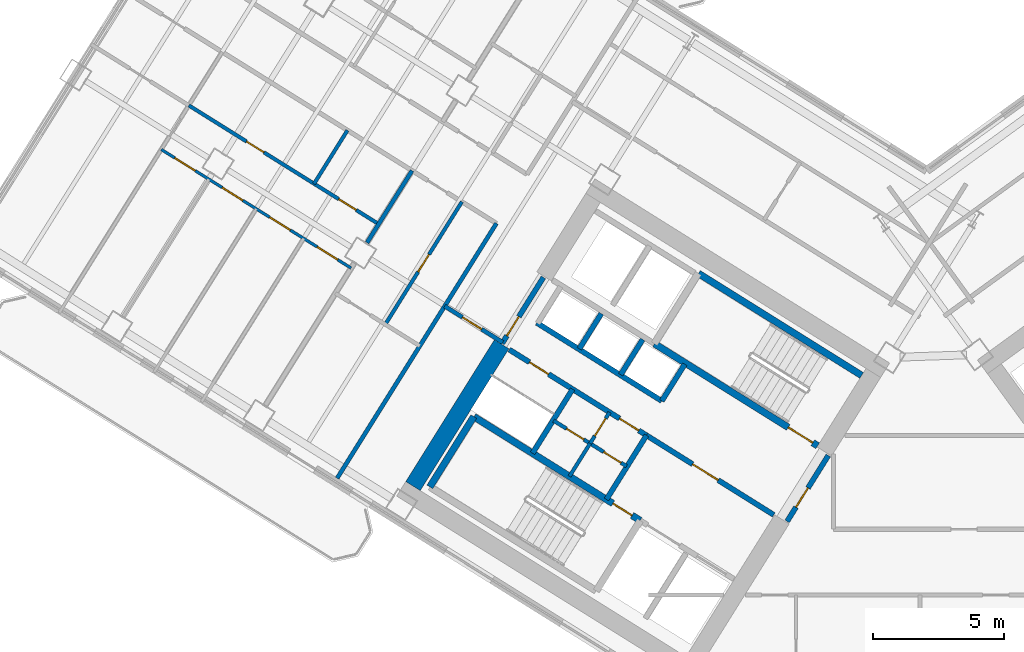
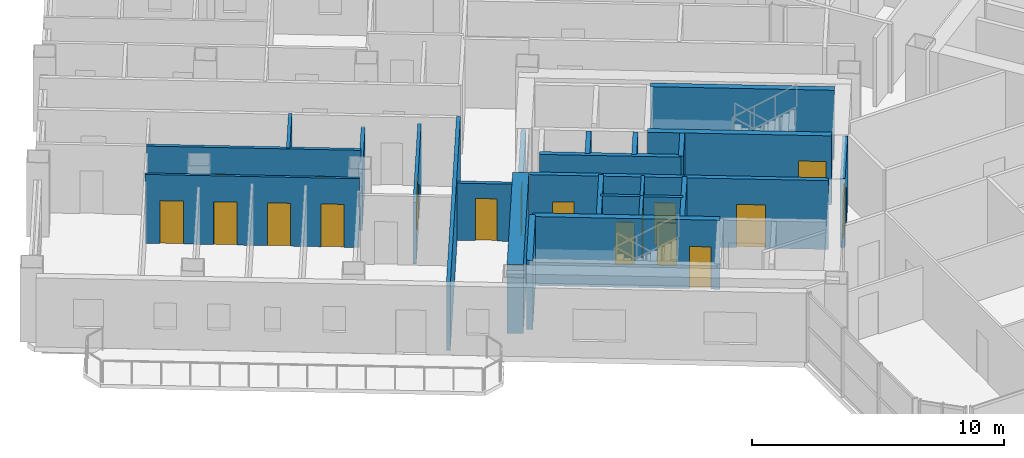
# One storey, part 12 of 21: 25 walls, 18 doors, 18 openings.
"""IFC4 building model written with IfcOpenShell, lengths in metres."""

from ifc_helpers import new_model, si_unit, direction, frame, frame_2d, origin, place, context, subcontext, project, spatial, rectangle, extrude, source, transform, mapped, material, layer, layer_set, type_object, element, fill, save


model = new_model("IFC4")

# Units and contexts
model_context = context("Model", 3, precision=1e-05, world=origin(), true_north=direction((0.0, 1.0)))
body_context = subcontext(model_context, "Body", "Model", "MODEL_VIEW")
ifc_project = project(units=[si_unit("LENGTHUNIT", "METRE"), si_unit("AREAUNIT", "SQUARE_METRE"), si_unit("VOLUMEUNIT", "CUBIC_METRE"), si_unit("PLANEANGLEUNIT", "RADIAN"), si_unit("MASSUNIT", "GRAM", prefix="KILO")], contexts=[model_context])

# Site, building, storey
site_placement = place(None, origin())
site = spatial("IfcSite", under=ifc_project, at=site_placement, CompositionType="ELEMENT")
building_placement = place(site_placement, origin())
building = spatial("IfcBuilding", under=site, at=building_placement, Name="Tlacorven Tower", CompositionType="ELEMENT")
storey_placement = place(building_placement, frame((0.0, 0.0, 90.0)))
storey = spatial("IfcBuildingStorey", under=building, at=storey_placement, Name="L22", CompositionType="ELEMENT", Elevation=90.0)

# Wall
ifc_material_1 = material(Name="Concrete C60/75", Category="concrete")
ifc_layer_1 = layer(ifc_material_1, 0.64990234375)
ifc_layer_set_1 = layer_set([ifc_layer_1], Name="Concrete C60/75")
wall_type_1 = type_object("IfcWallType", Name="WL-COR-650", PredefinedType="SHEAR", material=ifc_layer_set_1)
wall_1_placement = place(storey_placement, frame((26.006591796875, 24.975830078125, 0.0), z_axis=(0.0, 0.0, 1.0), x_axis=(-0.529916319127, -0.848049936456, 0.0)))
element("IfcWall", 1, at=wall_1_placement, inside=storey, type_object=wall_type_1, Name="L22 W core end wall E2.2", PredefinedType="SHEAR", context=body_context, shape_type="SweptSolid", body=[
    extrude(rectangle(XDim=6.375, YDim=0.64990234375, at=frame_2d((3.1875, 0.0))), origin(), (0.0, 0.0, 1.0), 3.35009765625),
])

# Wall, opening, door
ifc_material_2 = material(Name="Gypsum plasterboard acoustic partition", Category="gypsum")
ifc_layer_2 = layer(ifc_material_2, 0.159912109375)
ifc_layer_set_2 = layer_set([ifc_layer_2], Name="Gypsum plasterboard acoustic partition")
wall_type_2 = type_object("IfcWallType", Name="WL-DEM-160", PredefinedType="PARTITIONING", material=ifc_layer_set_2)
wall_2_placement = place(storey_placement, frame((26.048828125, 25.043701171875, 0.0), z_axis=(0.0, 0.0, 1.0), x_axis=(-0.848050851465, 0.529914854792, 0.0)))
wall_2 = element("IfcWall", 2, at=wall_2_placement, inside=storey, type_object=wall_type_2, Name="L22 partition 50", PredefinedType="PARTITIONING", context=body_context, shape_type="SweptSolid", body=[
    extrude(rectangle(XDim=2.60986328125, YDim=0.159912109375, at=frame_2d((1.304931640625, 0.0))), origin(), (0.0, 0.0, 1.0), 2.77490234375),
])
opening_1_placement = place(wall_2_placement, frame((0.949951171875, 0.0, 0.0)))
opening_1 = element("IfcOpeningElement", 3, at=opening_1_placement, cuts=wall_2, Name="Opening D19", PredefinedType="OPENING", context=body_context, shape_type="SweptSolid", body=[
    extrude(rectangle(XDim=0.860107421875, YDim=2.050048828125, at=frame_2d((0.43017578125, 1.02490234375))), frame((0.0, 0.08984375, 0.0), z_axis=(0.0, -1.0, 0.0), x_axis=(1.0, 0.0, 0.0)), (0.0, 0.0, 1.0), 0.179931640625),
])
ifc_material_3 = material(Name="Fire-rated steel door assembly", Category="steel")
door_type_1 = type_object("IfcDoorType", Name="DR-RSR-FD60-0860", OperationType="NOTDEFINED", PredefinedType="DOOR", material=ifc_material_3)
shared_shape_1 = source(origin(), body_context, "Body", "SweptSolid", [
    extrude(rectangle(XDim=0.860107421875, YDim=2.050048828125, at=frame_2d((0.43017578125, 1.02490234375))), frame((0.0, 0.02490234375, 0.0), z_axis=(0.0, -1.0, 0.0), x_axis=(1.0, 0.0, 0.0)), (0.0, 0.0, 1.0), 0.050048828125),
])
door_1_placement = place(opening_1_placement, origin())
door_1 = element("IfcDoor", 4, at=door_1_placement, inside=storey, type_object=door_type_1, Name="L22 door 021", OperationType="SINGLE_SWING_RIGHT", OverallHeight=2.050048828125, OverallWidth=0.860107421875, PredefinedType="DOOR", context=body_context, shape_type="MappedRepresentation", body=[
    mapped(shared_shape_1, transform((0.0, 0.0, 0.0), scale=1.0)),
])
fill(opening_1, door_1)

# Walls
wall_3_placement = place(storey_placement, frame((25.806884765625, 29.58154296875, 0.0), z_axis=(0.0, 0.0, 1.0), x_axis=(-0.529920357077, -0.848047413271, 0.0)))
element("IfcWall", 5, at=wall_3_placement, inside=storey, type_object=wall_type_2, Name="L22 partition 52", PredefinedType="PARTITIONING", context=body_context, shape_type="SweptSolid", body=[
    extrude(rectangle(XDim=11.4501953125, YDim=0.159912109375, at=frame_2d((5.72509765625, 0.0))), origin(), (0.0, 0.0, 1.0), 3.340087890625),
])
wall_4_placement = place(storey_placement, frame((22.5927734375, 31.58984375, 0.0), z_axis=(0.0, 0.0, 1.0), x_axis=(-0.529924383291, -0.848044897393, 0.0)))
element("IfcWall", 6, at=wall_4_placement, inside=storey, type_object=wall_type_2, Name="L22 WN Demising Wall 1", PredefinedType="PARTITIONING", context=body_context, shape_type="SweptSolid", body=[
    extrude(rectangle(XDim=3.23779296875, YDim=0.159912109375, at=frame_2d((1.618896484375, 0.0))), origin(), (0.0, 0.0, 1.0), 2.77490234375),
])

# Wall, openings, doors
ifc_material_4 = material(Name="Gypsum plasterboard partition", Category="gypsum")
ifc_layer_3 = layer(ifc_material_4, 0.110107421875)
ifc_layer_set_3 = layer_set([ifc_layer_3], Name="Gypsum plasterboard partition")
wall_type_3 = type_object("IfcWallType", Name="WL-INT-110", PredefinedType="PARTITIONING", material=ifc_layer_set_3)
wall_5_placement = place(storey_placement, frame((20.271728515625, 27.87548828125, 0.0), z_axis=(0.0, 0.0, 1.0), x_axis=(-0.848056204746, 0.529906287557, 0.0)))
wall_5 = element("IfcWall", 7, at=wall_5_placement, inside=storey, type_object=wall_type_3, Name="L22 partition 64", PredefinedType="PARTITIONING", context=body_context, shape_type="SweptSolid", body=[
    extrude(rectangle(XDim=8.527099609375, YDim=0.110107421875, at=frame_2d((4.263671875, 0.0))), origin(), (0.0, 0.0, 1.0), 3.340087890625),
])
opening_2_placement = place(wall_5_placement, frame((0.60595703125, 0.0, 0.0)))
opening_2 = element("IfcOpeningElement", 8, at=opening_2_placement, cuts=wall_5, Name="Opening D12", PredefinedType="OPENING", context=body_context, shape_type="SweptSolid", body=[
    extrude(rectangle(XDim=0.919921875, YDim=2.080078125, at=frame_2d((0.4599609375, 1.0400390625))), frame((0.0, 0.06494140625, 0.0), z_axis=(0.0, -1.0, 0.0), x_axis=(1.0, 0.0, 0.0)), (0.0, 0.0, 1.0), 0.130126953125),
])
opening_3_placement = place(wall_5_placement, frame((2.738037109375, 0.0, 0.0)))
opening_3 = element("IfcOpeningElement", 9, at=opening_3_placement, cuts=wall_5, Name="Opening D12", PredefinedType="OPENING", context=body_context, shape_type="SweptSolid", body=[
    extrude(rectangle(XDim=0.919921875, YDim=2.080078125, at=frame_2d((0.4599609375, 1.0400390625))), frame((0.0, 0.06494140625, 0.0), z_axis=(0.0, -1.0, 0.0), x_axis=(1.0, 0.0, 0.0)), (0.0, 0.0, 1.0), 0.130126953125),
])
opening_4_placement = place(wall_5_placement, frame((4.869384765625, 0.0, 0.0)))
opening_4 = element("IfcOpeningElement", 10, at=opening_4_placement, cuts=wall_5, Name="Opening D12", PredefinedType="OPENING", context=body_context, shape_type="SweptSolid", body=[
    extrude(rectangle(XDim=0.919921875, YDim=2.080078125, at=frame_2d((0.4599609375, 1.0400390625))), frame((0.0, 0.06494140625, 0.0), z_axis=(0.0, -1.0, 0.0), x_axis=(1.0, 0.0, 0.0)), (0.0, 0.0, 1.0), 0.130126953125),
])
opening_5_placement = place(wall_5_placement, frame((7.0009765625, 0.0, 0.0)))
opening_5 = element("IfcOpeningElement", 11, at=opening_5_placement, cuts=wall_5, Name="Opening D12", PredefinedType="OPENING", context=body_context, shape_type="SweptSolid", body=[
    extrude(rectangle(XDim=0.919921875, YDim=2.080078125, at=frame_2d((0.4599609375, 1.0400390625))), frame((0.0, 0.06494140625, 0.0), z_axis=(0.0, -1.0, 0.0), x_axis=(1.0, 0.0, 0.0)), (0.0, 0.0, 1.0), 0.130126953125),
])
ifc_material_5 = material(Name="Powder-coated aluminium and timber door", Category="wood")
door_type_2 = type_object("IfcDoorType", Name="DR-INT-ROOM-0920", OperationType="NOTDEFINED", PredefinedType="DOOR", material=ifc_material_5)
shared_shape_2 = source(origin(), body_context, "Body", "SweptSolid", [
    extrude(rectangle(XDim=0.919921875, YDim=2.080078125, at=frame_2d((0.4599609375, 1.0400390625))), frame((0.0, 0.02490234375, 0.0), z_axis=(0.0, -1.0, 0.0), x_axis=(1.0, 0.0, 0.0)), (0.0, 0.0, 1.0), 0.050048828125),
])
door_2_placement = place(opening_2_placement, origin())
door_2 = element("IfcDoor", 12, at=door_2_placement, inside=storey, type_object=door_type_2, Name="L22 door 032", OperationType="SINGLE_SWING_RIGHT", OverallHeight=2.080078125, OverallWidth=0.919921875, PredefinedType="DOOR", context=body_context, shape_type="MappedRepresentation", body=[
    mapped(shared_shape_2, transform((0.0, 0.0, 0.0), scale=1.0)),
])
fill(opening_2, door_2)
door_3_placement = place(opening_3_placement, origin())
door_3 = element("IfcDoor", 13, at=door_3_placement, inside=storey, type_object=door_type_2, Name="L22 door 033", OperationType="SINGLE_SWING_LEFT", OverallHeight=2.080078125, OverallWidth=0.919921875, PredefinedType="DOOR", context=body_context, shape_type="MappedRepresentation", body=[
    mapped(shared_shape_2, transform((0.0, 0.0, 0.0), scale=1.0)),
])
fill(opening_3, door_3)
door_4_placement = place(opening_4_placement, origin())
door_4 = element("IfcDoor", 14, at=door_4_placement, inside=storey, type_object=door_type_2, Name="L22 door 034", OperationType="SINGLE_SWING_RIGHT", OverallHeight=2.080078125, OverallWidth=0.919921875, PredefinedType="DOOR", context=body_context, shape_type="MappedRepresentation", body=[
    mapped(shared_shape_2, transform((0.0, 0.0, 0.0), scale=1.0)),
])
fill(opening_4, door_4)
door_5_placement = place(opening_5_placement, origin())
door_5 = element("IfcDoor", 15, at=door_5_placement, inside=storey, type_object=door_type_2, Name="L22 door 035", OperationType="SINGLE_SWING_LEFT", OverallHeight=2.080078125, OverallWidth=0.919921875, PredefinedType="DOOR", context=body_context, shape_type="MappedRepresentation", body=[
    mapped(shared_shape_2, transform((0.0, 0.0, 0.0), scale=1.0)),
])
fill(opening_5, door_5)

# Wall, opening, door
ifc_material_6 = material(Name="Moisture-resistant gypsum plumbing wall", Category="gypsum")
ifc_layer_4 = layer(ifc_material_6, 0.139892578125)
ifc_layer_set_4 = layer_set([ifc_layer_4], Name="Moisture-resistant gypsum plumbing wall")
wall_type_4 = type_object("IfcWallType", Name="WL-PLM-140", PredefinedType="PLUMBINGWALL", material=ifc_layer_set_4)
wall_6_placement = place(storey_placement, frame((30.117431640625, 22.383544921875, 0.0), z_axis=(0.0, 0.0, 1.0), x_axis=(-0.529951914384, -0.848027693204, 0.0)))
wall_6 = element("IfcWall", 16, at=wall_6_placement, inside=storey, type_object=wall_type_4, Name="L22 partition 23", PredefinedType="PLUMBINGWALL", context=body_context, shape_type="SweptSolid", body=[
    extrude(rectangle(XDim=1.39990234375, YDim=0.139892578125, at=frame_2d((0.699951171875, 0.0))), origin(), (0.0, 0.0, 1.0), 3.340087890625),
])
opening_6_placement = place(wall_6_placement, frame((0.280029296875, 0.0, 0.0)))
opening_6 = element("IfcOpeningElement", 17, at=opening_6_placement, cuts=wall_6, Name="Opening D22", PredefinedType="OPENING", context=body_context, shape_type="SweptSolid", body=[
    extrude(rectangle(XDim=0.780029296875, YDim=2.050048828125, at=frame_2d((0.39013671875, 1.02490234375))), frame((0.0, 0.080078125, 0.0), z_axis=(0.0, -1.0, 0.0), x_axis=(1.0, 0.0, 0.0)), (0.0, 0.0, 1.0), 0.159912109375),
])
door_type_3 = type_object("IfcDoorType", Name="DR-INT-WET-0780", OperationType="NOTDEFINED", PredefinedType="DOOR", material=ifc_material_5)
shared_shape_3 = source(origin(), body_context, "Body", "SweptSolid", [
    extrude(rectangle(XDim=0.780029296875, YDim=2.050048828125, at=frame_2d((0.39013671875, 1.02490234375))), frame((0.0, 0.02490234375, 0.0), z_axis=(0.0, -1.0, 0.0), x_axis=(1.0, 0.0, 0.0)), (0.0, 0.0, 1.0), 0.050048828125),
])
door_6_placement = place(opening_6_placement, origin())
door_6 = element("IfcDoor", 18, at=door_6_placement, inside=storey, type_object=door_type_3, Name="L22 door 008", OperationType="SINGLE_SWING_LEFT", OverallHeight=2.050048828125, OverallWidth=0.780029296875, PredefinedType="DOOR", context=body_context, shape_type="MappedRepresentation", body=[
    mapped(shared_shape_3, transform((0.0, 0.0, 0.0), scale=1.0)),
])
fill(opening_6, door_6)

# Wall
wall_7_placement = place(storey_placement, frame((29.37548828125, 21.1962890625, 0.0), z_axis=(0.0, 0.0, 1.0), x_axis=(-0.529865479138, -0.848081702443, 0.0)))
element("IfcWall", 19, at=wall_7_placement, inside=storey, type_object=wall_type_4, Name="L22 partition 24", PredefinedType="PLUMBINGWALL", context=body_context, shape_type="SweptSolid", body=[
    extrude(rectangle(XDim=1.47998046875, YDim=0.139892578125, at=frame_2d((0.739990234375, 0.0))), origin(), (0.0, 0.0, 1.0), 3.340087890625),
])

# Wall, openings, doors
wall_8_placement = place(storey_placement, frame((30.766357421875, 20.3271484375, 0.0), z_axis=(0.0, 0.0, 1.0), x_axis=(-0.848052663127, 0.529911955482, 0.0)))
wall_8 = element("IfcWall", 20, at=wall_8_placement, inside=storey, type_object=wall_type_4, Name="L22 partition 25", PredefinedType="PLUMBINGWALL", context=body_context, shape_type="SweptSolid", body=[
    extrude(rectangle(XDim=3.27978515625, YDim=0.139892578125, at=frame_2d((1.639892578125, 0.0))), origin(), (0.0, 0.0, 1.0), 3.340087890625),
])
opening_7_placement = place(wall_8_placement, frame((0.25, 0.0, 0.0)))
opening_7 = element("IfcOpeningElement", 21, at=opening_7_placement, cuts=wall_8, Name="Opening D22", PredefinedType="OPENING", context=body_context, shape_type="SweptSolid", body=[
    extrude(rectangle(XDim=0.780029296875, YDim=2.050048828125, at=frame_2d((0.39013671875, 1.02490234375))), frame((0.0, 0.080078125, 0.0), z_axis=(0.0, -1.0, 0.0), x_axis=(1.0, 0.0, 0.0)), (0.0, 0.0, 1.0), 0.159912109375),
])
opening_8_placement = place(wall_8_placement, frame((1.919921875, 0.0, 0.0)))
opening_8 = element("IfcOpeningElement", 22, at=opening_8_placement, cuts=wall_8, Name="Opening D22", PredefinedType="OPENING", context=body_context, shape_type="SweptSolid", body=[
    extrude(rectangle(XDim=0.780029296875, YDim=2.050048828125, at=frame_2d((0.39013671875, 1.02490234375))), frame((0.0, 0.080078125, 0.0), z_axis=(0.0, -1.0, 0.0), x_axis=(1.0, 0.0, 0.0)), (0.0, 0.0, 1.0), 0.159912109375),
])
door_7_placement = place(opening_7_placement, origin())
door_7 = element("IfcDoor", 23, at=door_7_placement, inside=storey, type_object=door_type_3, Name="L22 door 009", OperationType="SINGLE_SWING_RIGHT", OverallHeight=2.050048828125, OverallWidth=0.780029296875, PredefinedType="DOOR", context=body_context, shape_type="MappedRepresentation", body=[
    mapped(shared_shape_3, transform((0.0, 0.0, 0.0), scale=1.0)),
])
fill(opening_7, door_7)
door_8_placement = place(opening_8_placement, origin())
door_8 = element("IfcDoor", 24, at=door_8_placement, inside=storey, type_object=door_type_3, Name="L22 door 010", OperationType="SINGLE_SWING_LEFT", OverallHeight=2.050048828125, OverallWidth=0.780029296875, PredefinedType="DOOR", context=body_context, shape_type="MappedRepresentation", body=[
    mapped(shared_shape_3, transform((0.0, 0.0, 0.0), scale=1.0)),
])
fill(opening_8, door_8)

# Wall, opening, door
wall_9_placement = place(storey_placement, frame((24.492431640625, 30.40283203125, 0.0), z_axis=(0.0, 0.0, 1.0), x_axis=(-0.529919283494, -0.848048084121, 0.0)))
wall_9 = element("IfcWall", 25, at=wall_9_placement, inside=storey, type_object=wall_type_4, Name="L22 partition 58", PredefinedType="PLUMBINGWALL", context=body_context, shape_type="SweptSolid", body=[
    extrude(rectangle(XDim=5.510009765625, YDim=0.139892578125, at=frame_2d((2.7548828125, 0.0))), origin(), (0.0, 0.0, 1.0), 2.9951171875),
])
opening_9_placement = place(wall_9_placement, frame((2.364990234375, 0.0, 0.0)))
opening_9 = element("IfcOpeningElement", 26, at=opening_9_placement, cuts=wall_9, Name="Opening D22", PredefinedType="OPENING", context=body_context, shape_type="SweptSolid", body=[
    extrude(rectangle(XDim=0.780029296875, YDim=2.050048828125, at=frame_2d((0.39013671875, 1.02490234375))), frame((0.0, 0.080078125, 0.0), z_axis=(0.0, -1.0, 0.0), x_axis=(1.0, 0.0, 0.0)), (0.0, 0.0, 1.0), 0.159912109375),
])
door_9_placement = place(opening_9_placement, origin())
door_9 = element("IfcDoor", 27, at=door_9_placement, inside=storey, type_object=door_type_3, Name="L22 door 025", OperationType="SINGLE_SWING_LEFT", OverallHeight=2.050048828125, OverallWidth=0.780029296875, PredefinedType="DOOR", context=body_context, shape_type="MappedRepresentation", body=[
    mapped(shared_shape_3, transform((0.0, 0.0, 0.0), scale=1.0)),
])
fill(opening_9, door_9)

# Wall, openings, doors
wall_10_placement = place(storey_placement, frame((21.32080078125, 29.554443359375, 0.0), z_axis=(0.0, 0.0, 1.0), x_axis=(-0.84803529765, 0.529939745575, 0.0)))
wall_10 = element("IfcWall", 28, at=wall_10_placement, inside=storey, type_object=wall_type_4, Name="L22 partition 62", PredefinedType="PLUMBINGWALL", context=body_context, shape_type="SweptSolid", body=[
    extrude(rectangle(XDim=8.527099609375, YDim=0.139892578125, at=frame_2d((4.263671875, 0.0))), origin(), (0.0, 0.0, 1.0), 3.340087890625),
])
opening_10_placement = place(wall_10_placement, frame((5.154541015625, 0.0, 0.0)))
opening_10 = element("IfcOpeningElement", 29, at=opening_10_placement, cuts=wall_10, Name="Opening D22", PredefinedType="OPENING", context=body_context, shape_type="SweptSolid", body=[
    extrude(rectangle(XDim=0.780029296875, YDim=2.050048828125, at=frame_2d((0.39013671875, 1.02490234375))), frame((0.0, 0.080078125, 0.0), z_axis=(0.0, -1.0, 0.0), x_axis=(1.0, 0.0, 0.0)), (0.0, 0.0, 1.0), 0.159912109375),
])
opening_11_placement = place(wall_10_placement, frame((1.010986328125, 0.0, 0.0)))
opening_11 = element("IfcOpeningElement", 30, at=opening_11_placement, cuts=wall_10, Name="Opening D22", PredefinedType="OPENING", context=body_context, shape_type="SweptSolid", body=[
    extrude(rectangle(XDim=0.780029296875, YDim=2.050048828125, at=frame_2d((0.39013671875, 1.02490234375))), frame((0.0, 0.080078125, 0.0), z_axis=(0.0, -1.0, 0.0), x_axis=(1.0, 0.0, 0.0)), (0.0, 0.0, 1.0), 0.159912109375),
])
door_10_placement = place(opening_10_placement, origin())
door_10 = element("IfcDoor", 31, at=door_10_placement, inside=storey, type_object=door_type_3, Name="L22 door 030", OperationType="SINGLE_SWING_LEFT", OverallHeight=2.050048828125, OverallWidth=0.780029296875, PredefinedType="DOOR", context=body_context, shape_type="MappedRepresentation", body=[
    mapped(shared_shape_3, transform((0.0, 0.0, 0.0), scale=1.0)),
])
fill(opening_10, door_10)
door_11_placement = place(opening_11_placement, origin())
door_11 = element("IfcDoor", 32, at=door_11_placement, inside=storey, type_object=door_type_3, Name="L22 door 031", OperationType="SINGLE_SWING_LEFT", OverallHeight=2.050048828125, OverallWidth=0.780029296875, PredefinedType="DOOR", context=body_context, shape_type="MappedRepresentation", body=[
    mapped(shared_shape_3, transform((0.0, 0.0, 0.0), scale=1.0)),
])
fill(opening_11, door_11)

# Wall
wall_11_placement = place(storey_placement, frame((20.131591796875, 33.127685546875, 0.0), z_axis=(0.0, 0.0, 1.0), x_axis=(-0.529935194983, -0.848038141311, 0.0)))
element("IfcWall", 33, at=wall_11_placement, inside=storey, type_object=wall_type_4, Name="L22 partition 63", PredefinedType="PLUMBINGWALL", context=body_context, shape_type="SweptSolid", body=[
    extrude(rectangle(XDim=2.409912109375, YDim=0.139892578125, at=frame_2d((1.205078125, 0.0))), origin(), (0.0, 0.0, 1.0), 3.340087890625),
])

# Wall, opening, door
ifc_material_7 = material(Name="Concrete C40/50", Category="concrete")
ifc_layer_5 = layer(ifc_material_7, 0.199951171875)
ifc_layer_set_5 = layer_set([ifc_layer_5], Name="Concrete C40/50")
wall_type_5 = type_object("IfcWallType", Name="WL-SHF-200", PredefinedType="STANDARD", material=ifc_layer_set_5)
wall_12_placement = place(storey_placement, frame((36.374267578125, 18.4736328125, 0.0), z_axis=(0.0, 0.0, 1.0), x_axis=(-0.848051071577, 0.529914502535, 0.0)))
wall_12 = element("IfcWall", 34, at=wall_12_placement, inside=storey, type_object=wall_type_5, Name="L22 Core W Smoke Lobby Wall", PredefinedType="STANDARD", context=body_context, shape_type="SweptSolid", body=[
    extrude(rectangle(XDim=5.718017578125, YDim=0.199951171875, at=frame_2d((2.85888671875, 0.0))), origin(), (0.0, 0.0, 1.0), 3.340087890625),
])
opening_12_placement = place(wall_12_placement, frame((2.498046875, 0.0, 0.0)))
opening_12 = element("IfcOpeningElement", 35, at=opening_12_placement, cuts=wall_12, Name="Opening D09", PredefinedType="OPENING", context=body_context, shape_type="SweptSolid", body=[
    extrude(rectangle(XDim=1.14990234375, YDim=2.10009765625, at=frame_2d((0.574951171875, 1.050048828125))), frame((0.0, 0.10986328125, 0.0), z_axis=(0.0, -1.0, 0.0), x_axis=(1.0, 0.0, 0.0)), (0.0, 0.0, 1.0), 0.219970703125),
])
door_type_4 = type_object("IfcDoorType", Name="DR-FFL-FD60-1150", OperationType="NOTDEFINED", PredefinedType="DOOR", material=ifc_material_3)
shared_shape_4 = source(origin(), body_context, "Body", "SweptSolid", [
    extrude(rectangle(XDim=1.14990234375, YDim=2.10009765625, at=frame_2d((0.574951171875, 1.050048828125))), frame((0.0, 0.02490234375, 0.0), z_axis=(0.0, -1.0, 0.0), x_axis=(1.0, 0.0, 0.0)), (0.0, 0.0, 1.0), 0.050048828125),
])
door_12_placement = place(opening_12_placement, origin())
door_12 = element("IfcDoor", 36, at=door_12_placement, inside=storey, type_object=door_type_4, Name="L22 Firefighting Lobby W Fire Door", OperationType="SINGLE_SWING_RIGHT", OverallHeight=2.10009765625, OverallWidth=1.14990234375, PredefinedType="DOOR", context=body_context, shape_type="MappedRepresentation", body=[
    mapped(shared_shape_4, transform((0.0, 0.0, 0.0), scale=1.0)),
])
fill(opening_12, door_12)

# Walls
wall_13_placement = place(storey_placement, frame((32.108154296875, 22.81396484375, 0.0), z_axis=(0.0, 0.0, 1.0), x_axis=(-0.848042229521, 0.529928652696, 0.0)))
element("IfcWall", 37, at=wall_13_placement, inside=storey, type_object=wall_type_5, Name="L22 partition 11", PredefinedType="STANDARD", context=body_context, shape_type="SweptSolid", body=[
    extrude(rectangle(XDim=5.6201171875, YDim=0.199951171875, at=frame_2d((2.81005859375, 0.0))), origin(), (0.0, 0.0, 1.0), 3.340087890625),
])
wall_14_placement = place(storey_placement, frame((32.982421875, 24.21337890625, 0.0), z_axis=(0.0, 0.0, 1.0), x_axis=(-0.529839334948, -0.84809803628, 0.0)))
element("IfcWall", 38, at=wall_14_placement, inside=storey, type_object=wall_type_5, Name="L22 partition 12", PredefinedType="STANDARD", context=body_context, shape_type="SweptSolid", body=[
    extrude(rectangle(XDim=1.650146484375, YDim=0.199951171875, at=frame_2d((0.8251953125, 0.0))), origin(), (0.0, 0.0, 1.0), 3.340087890625),
])
for number, where, z_axis, x_axis, name in (
    (39, (31.378662109375, 25.156494140625, 0.0), (0.0, 0.0, 1.0), (-0.529998940003, -0.847998304005, 0.0), "L22 partition 18"),
    (40, (29.80126953125, 26.14208984375, 0.0), (0.0, 0.0, 1.0), (-0.529998940003, -0.847998304005, 0.0), "L22 partition 19"),
):
    element("IfcWall", number, at=place(storey_placement, frame(where, z_axis=z_axis, x_axis=x_axis)), inside=storey, type_object=wall_type_5, Name=name, PredefinedType="STANDARD", context=body_context, shape_type="SweptSolid", body=[
        extrude(rectangle(XDim=1.580078125, YDim=0.199951171875, at=frame_2d((0.7900390625, 0.0))), origin(), (0.0, 0.0, 1.0), 3.340087890625),
    ])
for number, where, z_axis, x_axis, name in (
    (41, (31.525146484375, 21.503662109375, 0.0), (0.0, 0.0, 1.0), (-0.529907497854, -0.848055448493, 0.0), "L22 partition 20"),
    (42, (28.709716796875, 23.26318359375, 0.0), (0.0, 0.0, 1.0), (-0.529907497854, -0.848055448493, 0.0), "L22 partition 21"),
):
    element("IfcWall", number, at=place(storey_placement, frame(where, z_axis=z_axis, x_axis=x_axis)), inside=storey, type_object=wall_type_5, Name=name, PredefinedType="STANDARD", context=body_context, shape_type="SweptSolid", body=[
        extrude(rectangle(XDim=2.8798828125, YDim=0.199951171875, at=frame_2d((1.43994140625, 0.0))), origin(), (0.0, 0.0, 1.0), 3.340087890625),
    ])

# Wall, openings, doors
wall_15_placement = place(storey_placement, frame((31.525146484375, 21.503662109375, 0.0), z_axis=(0.0, 0.0, 1.0), x_axis=(-0.848044998614, 0.529924221305, 0.0)))
wall_15 = element("IfcWall", 43, at=wall_15_placement, inside=storey, type_object=wall_type_5, Name="L22 Core W North Service Wall", PredefinedType="STANDARD", context=body_context, shape_type="SweptSolid", body=[
    extrude(rectangle(XDim=6.16796875, YDim=0.199951171875, at=frame_2d((3.083984375, 0.0))), origin(), (0.0, 0.0, 1.0), 3.340087890625),
])
opening_13_placement = place(wall_15_placement, frame((4.39990234375, 0.0, 0.0)))
opening_13 = element("IfcOpeningElement", 44, at=opening_13_placement, cuts=wall_15, Name="Opening D19", PredefinedType="OPENING", context=body_context, shape_type="SweptSolid", body=[
    extrude(rectangle(XDim=0.860107421875, YDim=2.050048828125, at=frame_2d((0.43017578125, 1.02490234375))), frame((0.0, 0.10986328125, 0.0), z_axis=(0.0, -1.0, 0.0), x_axis=(1.0, 0.0, 0.0)), (0.0, 0.0, 1.0), 0.219970703125),
])
opening_14_placement = place(wall_15_placement, frame((0.35009765625, 0.0, 0.0)))
opening_14 = element("IfcOpeningElement", 45, at=opening_14_placement, cuts=wall_15, Name="Opening D19", PredefinedType="OPENING", context=body_context, shape_type="SweptSolid", body=[
    extrude(rectangle(XDim=0.860107421875, YDim=2.050048828125, at=frame_2d((0.43017578125, 1.02490234375))), frame((0.0, 0.10986328125, 0.0), z_axis=(0.0, -1.0, 0.0), x_axis=(1.0, 0.0, 0.0)), (0.0, 0.0, 1.0), 0.219970703125),
])
door_13_placement = place(opening_13_placement, frame((0.860107421875, 0.0, 0.0), z_axis=(0.0, 0.0, 1.0), x_axis=(-1.0, 0.0, 0.0)))
door_13 = element("IfcDoor", 46, at=door_13_placement, inside=storey, type_object=door_type_1, Name="L22 Electrical Riser Access Door W", OperationType="SINGLE_SWING_LEFT", OverallHeight=2.050048828125, OverallWidth=0.860107421875, PredefinedType="DOOR", context=body_context, shape_type="MappedRepresentation", body=[
    mapped(shared_shape_1, transform((0.0, 0.0, 0.0), scale=1.0)),
])
fill(opening_13, door_13)
door_14_placement = place(opening_14_placement, frame((0.860107421875, 0.0, 0.0), z_axis=(0.0, 0.0, 1.0), x_axis=(-1.0, 0.0, 0.0)))
door_14 = element("IfcDoor", 47, at=door_14_placement, inside=storey, type_object=door_type_1, Name="L22 Cleaning Room Access Door W", OperationType="SINGLE_SWING_RIGHT", OverallHeight=2.050048828125, OverallWidth=0.860107421875, PredefinedType="DOOR", context=body_context, shape_type="MappedRepresentation", body=[
    mapped(shared_shape_1, transform((0.0, 0.0, 0.0), scale=1.0)),
])
fill(opening_14, door_14)

# Wall, opening, door
wall_16_placement = place(storey_placement, frame((27.59619140625, 27.52001953125, 0.0), z_axis=(0.0, 0.0, 1.0), x_axis=(-0.529865479138, -0.848081702443, 0.0)))
wall_16 = element("IfcWall", 48, at=wall_16_placement, inside=storey, type_object=wall_type_5, Name="L22 partition 48", PredefinedType="STANDARD", context=body_context, shape_type="SweptSolid", body=[
    extrude(rectangle(XDim=2.9599609375, YDim=0.199951171875, at=frame_2d((1.47998046875, 0.0))), origin(), (0.0, 0.0, 1.0), 3.340087890625),
])
opening_15_placement = place(wall_16_placement, frame((1.760009765625, 0.0, 0.0)))
opening_15 = element("IfcOpeningElement", 49, at=opening_15_placement, cuts=wall_16, Name="Opening D19", PredefinedType="OPENING", context=body_context, shape_type="SweptSolid", body=[
    extrude(rectangle(XDim=0.860107421875, YDim=2.050048828125, at=frame_2d((0.43017578125, 1.02490234375))), frame((0.0, 0.10986328125, 0.0), z_axis=(0.0, -1.0, 0.0), x_axis=(1.0, 0.0, 0.0)), (0.0, 0.0, 1.0), 0.219970703125),
])
door_15_placement = place(opening_15_placement, origin())
door_15 = element("IfcDoor", 50, at=door_15_placement, inside=storey, type_object=door_type_1, Name="L22 door 022", OperationType="SINGLE_SWING_LEFT", OverallHeight=2.050048828125, OverallWidth=0.860107421875, PredefinedType="DOOR", context=body_context, shape_type="MappedRepresentation", body=[
    mapped(shared_shape_1, transform((0.0, 0.0, 0.0), scale=1.0)),
])
fill(opening_15, door_15)

wall_17_placement = place(storey_placement, frame((38.451416015625, 20.737060546875, 0.0), z_axis=(0.0, 0.0, 1.0), x_axis=(-0.529924799939, -0.848044637038, 0.0)))
wall_17 = element("IfcWall", 51, at=wall_17_placement, inside=storey, type_object=wall_type_5, Name="L22 partition 83", PredefinedType="STANDARD", context=body_context, shape_type="SweptSolid", body=[
    extrude(rectangle(XDim=2.9599609375, YDim=0.199951171875, at=frame_2d((1.47998046875, 0.0))), origin(), (0.0, 0.0, 1.0), 3.340087890625),
])
opening_16_placement = place(wall_17_placement, frame((1.4599609375, 0.0, 0.0)))
opening_16 = element("IfcOpeningElement", 52, at=opening_16_placement, cuts=wall_17, Name="Opening D19", PredefinedType="OPENING", context=body_context, shape_type="SweptSolid", body=[
    extrude(rectangle(XDim=0.860107421875, YDim=2.050048828125, at=frame_2d((0.43017578125, 1.02490234375))), frame((0.0, 0.10986328125, 0.0), z_axis=(0.0, -1.0, 0.0), x_axis=(1.0, 0.0, 0.0)), (0.0, 0.0, 1.0), 0.219970703125),
])
door_16_placement = place(opening_16_placement, frame((0.860107421875, 0.0, 0.0), z_axis=(0.0, 0.0, 1.0), x_axis=(-1.0, 0.0, 0.0)))
door_16 = element("IfcDoor", 53, at=door_16_placement, inside=storey, type_object=door_type_1, Name="L22 door 052", OperationType="SINGLE_SWING_LEFT", OverallHeight=2.050048828125, OverallWidth=0.860107421875, PredefinedType="DOOR", context=body_context, shape_type="MappedRepresentation", body=[
    mapped(shared_shape_1, transform((0.0, 0.0, 0.0), scale=1.0)),
])
fill(opening_16, door_16)

ifc_material_8 = material(Name="Concrete C50/60", Category="concrete")
ifc_layer_6 = layer(ifc_material_8, 0.260009765625)
ifc_layer_set_6 = layer_set([ifc_layer_6], Name="Concrete C50/60")
wall_type_6 = type_object("IfcWallType", Name="WL-STW-260", PredefinedType="SHEAR", material=ifc_layer_set_6)
wall_18_placement = place(storey_placement, frame((31.279541015625, 18.26123046875, 0.0), z_axis=(0.0, 0.0, 1.0), x_axis=(-0.848051618787, 0.529913626805, 0.0)))
wall_18 = element("IfcWall", 54, at=wall_18_placement, inside=storey, type_object=wall_type_6, Name="L22 Stair W1 Lobby Shear Wall", PredefinedType="SHEAR", context=body_context, shape_type="SweptSolid", body=[
    extrude(rectangle(XDim=7.4599609375, YDim=0.260009765625, at=frame_2d((3.72998046875, 0.0))), origin(), (0.0, 0.0, 1.0), 3.35009765625),
])
opening_17_placement = place(wall_18_placement, frame((0.360107421875, 0.0, 0.0)))
opening_17 = element("IfcOpeningElement", 55, at=opening_17_placement, cuts=wall_18, Name="Opening D19", PredefinedType="OPENING", context=body_context, shape_type="SweptSolid", body=[
    extrude(rectangle(XDim=0.860107421875, YDim=2.050048828125, at=frame_2d((0.43017578125, 1.02490234375))), frame((0.0, 0.14013671875, 0.0), z_axis=(0.0, -1.0, 0.0), x_axis=(1.0, 0.0, 0.0)), (0.0, 0.0, 1.0), 0.280029296875),
])
door_17_placement = place(opening_17_placement, frame((0.860107421875, 0.0, 0.0), z_axis=(0.0, 0.0, 1.0), x_axis=(-1.0, 0.0, 0.0)))
door_17 = element("IfcDoor", 56, at=door_17_placement, inside=storey, type_object=door_type_1, Name="L22 Exit Stair W1 Fire Door", OperationType="SINGLE_SWING_LEFT", OverallHeight=2.050048828125, OverallWidth=0.860107421875, PredefinedType="DOOR", context=body_context, shape_type="MappedRepresentation", body=[
    mapped(shared_shape_1, transform((0.0, 0.0, 0.0), scale=1.0)),
])
fill(opening_17, door_17)

# Walls
wall_19_placement = place(storey_placement, frame((24.944580078125, 22.2197265625, 0.0), z_axis=(0.0, 0.0, 1.0), x_axis=(-0.529908658664, -0.84805472316, 0.0)))
element("IfcWall", 57, at=wall_19_placement, inside=storey, type_object=wall_type_6, Name="L22 Stair W1 East Shear Wall", PredefinedType="SHEAR", context=body_context, shape_type="SweptSolid", body=[
    extrude(rectangle(XDim=3.16015625, YDim=0.260009765625, at=frame_2d((1.580078125, 0.0))), origin(), (0.0, 0.0, 1.0), 3.35009765625),
])
wall_20_placement = place(storey_placement, frame((39.720947265625, 23.787841796875, 0.0), z_axis=(0.0, 0.0, 1.0), x_axis=(-0.848054434086, 0.529909121291, 0.0)))
element("IfcWall", 58, at=wall_20_placement, inside=storey, type_object=wall_type_6, Name="L22 Stair W2 Far Shear Wall", PredefinedType="SHEAR", context=body_context, shape_type="SweptSolid", body=[
    extrude(rectangle(XDim=7.330078125, YDim=0.260009765625, at=frame_2d((3.6650390625, 0.0))), origin(), (0.0, 0.0, 1.0), 3.35009765625),
])

# Wall, opening, door
wall_21_placement = place(storey_placement, frame((38.04638671875, 21.10791015625, 0.0), z_axis=(0.0, 0.0, 1.0), x_axis=(-0.848054434086, 0.529909121291, 0.0)))
wall_21 = element("IfcWall", 59, at=wall_21_placement, inside=storey, type_object=wall_type_6, Name="L22 Stair W2 Lobby Shear Wall", PredefinedType="SHEAR", context=body_context, shape_type="SweptSolid", body=[
    extrude(rectangle(XDim=7.330078125, YDim=0.260009765625, at=frame_2d((3.6650390625, 0.0))), origin(), (0.0, 0.0, 1.0), 3.35009765625),
])
opening_18_placement = place(wall_21_placement, frame((0.219970703125, 0.0, 0.0)))
opening_18 = element("IfcOpeningElement", 60, at=opening_18_placement, cuts=wall_21, Name="Opening D07", PredefinedType="OPENING", context=body_context, shape_type="SweptSolid", body=[
    extrude(rectangle(XDim=1.10009765625, YDim=2.10009765625, at=frame_2d((0.550048828125, 1.050048828125))), frame((0.0, 0.14013671875, 0.0), z_axis=(0.0, -1.0, 0.0), x_axis=(1.0, 0.0, 0.0)), (0.0, 0.0, 1.0), 0.280029296875),
])
door_type_5 = type_object("IfcDoorType", Name="DR-STR-FD90-1100", OperationType="NOTDEFINED", PredefinedType="DOOR", material=ifc_material_3)
shared_shape_5 = source(origin(), body_context, "Body", "SweptSolid", [
    extrude(rectangle(XDim=1.10009765625, YDim=2.10009765625, at=frame_2d((0.550048828125, 1.050048828125))), frame((0.0, 0.02490234375, 0.0), z_axis=(0.0, -1.0, 0.0), x_axis=(1.0, 0.0, 0.0)), (0.0, 0.0, 1.0), 0.050048828125),
])
door_18_placement = place(opening_18_placement, origin())
door_18 = element("IfcDoor", 61, at=door_18_placement, inside=storey, type_object=door_type_5, Name="L22 Exit Stair W2 Fire Door", OperationType="SINGLE_SWING_LEFT", OverallHeight=2.10009765625, OverallWidth=1.10009765625, PredefinedType="DOOR", context=body_context, shape_type="MappedRepresentation", body=[
    mapped(shared_shape_5, transform((0.0, 0.0, 0.0), scale=1.0)),
])
fill(opening_18, door_18)

save(model, "model.ifc")
